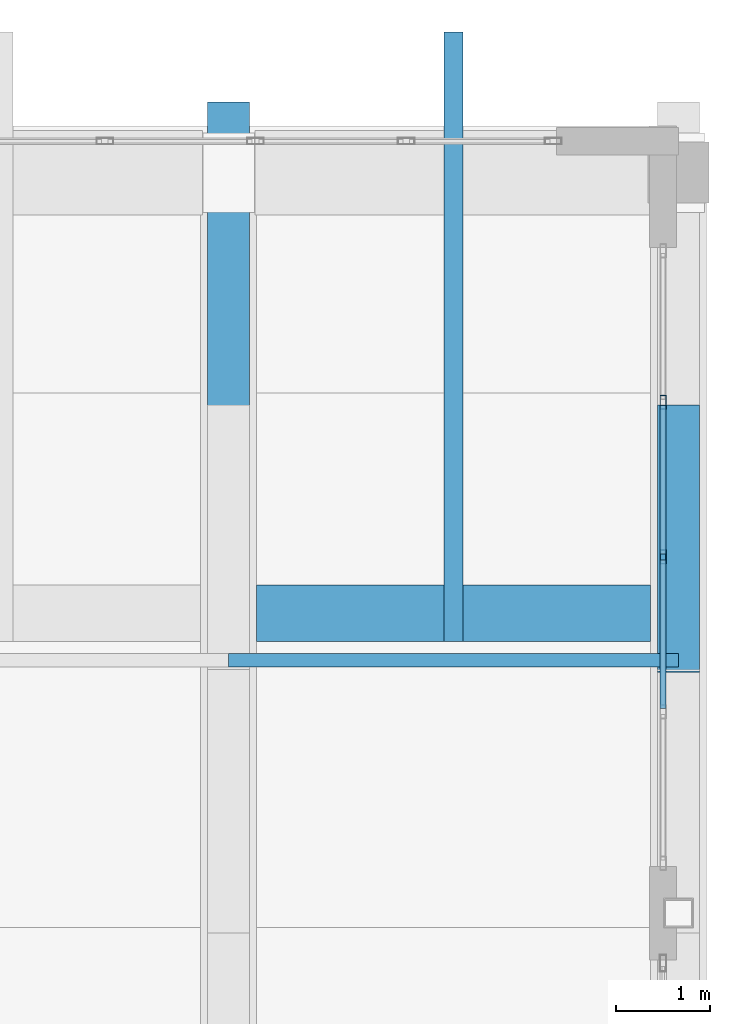
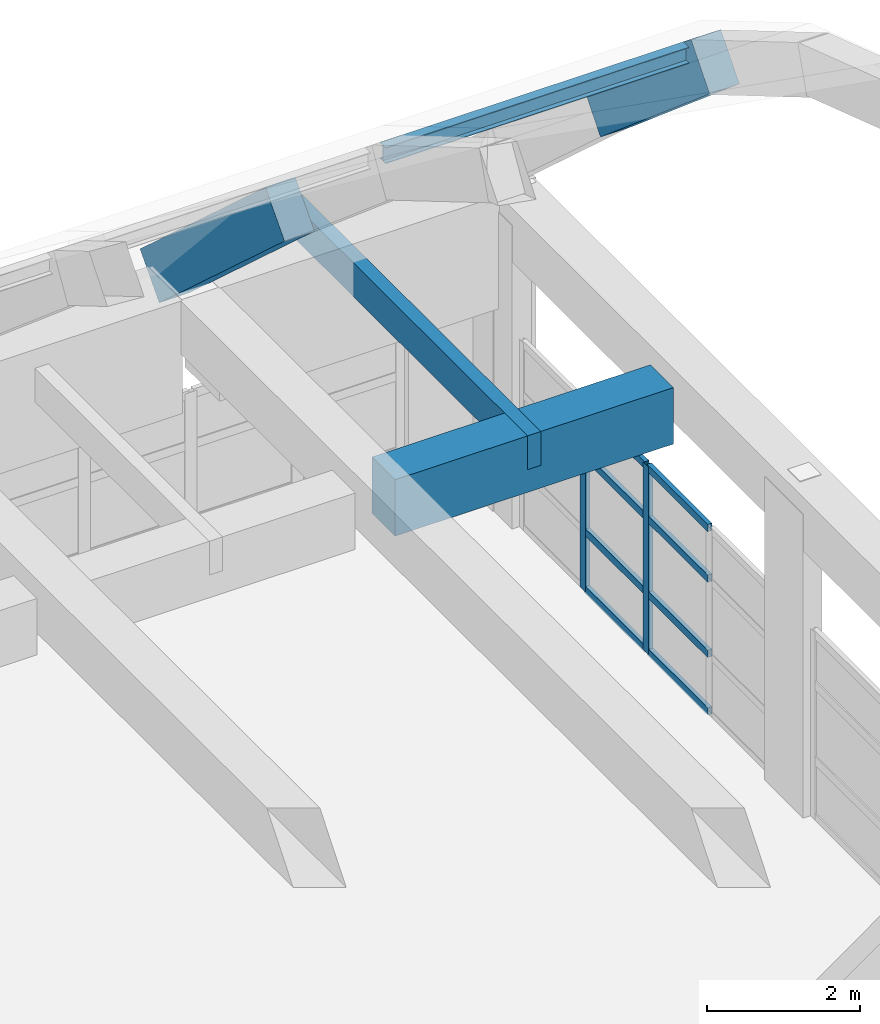
# One storey, part 53 of 78: 12 members, 3 beams, 1 element without a shape of its own.
"""IFC4 building model written with IfcOpenShell, lengths in metres."""

from ifc_helpers import new_model, si_unit, direction, frame, origin, origin_2d, place, context, subcontext, project, spatial, rectangle, hollow_rectangle, i_section, extrude, material, layer, layer_set, material_profile, profile_set, type_object, element, aggregate, save


model = new_model("IFC4")

# Units and contexts
model_context = context("Model", 3, precision=1e-05, world=origin(), true_north=direction((0.0, 1.0)))
body_context = subcontext(model_context, "Body", "Model", "MODEL_VIEW")
ifc_project = project(units=[si_unit("LENGTHUNIT", "METRE"), si_unit("AREAUNIT", "SQUARE_METRE"), si_unit("VOLUMEUNIT", "CUBIC_METRE"), si_unit("PLANEANGLEUNIT", "RADIAN"), si_unit("MASSUNIT", "GRAM", prefix="KILO")], contexts=[model_context])

# Site, building, storey
site_placement = place(None, origin())
site = spatial("IfcSite", under=ifc_project, at=site_placement, CompositionType="ELEMENT")
building_placement = place(site_placement, origin())
building = spatial("IfcBuilding", under=site, at=building_placement, Name="Quendrovan Civic Courthouse", CompositionType="ELEMENT")
storey_placement = place(building_placement, frame((0.0, 0.0, 20.39990234375)))
storey = spatial("IfcBuildingStorey", under=building, at=storey_placement, Name="L05", CompositionType="ELEMENT", Elevation=20.39990234375)

# Beams
ifc_material_1 = material(Name="Concrete C40/50", Category="concrete")
ifc_material_profile_1 = material_profile(ifc_material_1, rectangle(XDim=0.60009765625, YDim=0.89990234375, at=origin_2d()), Name="RC-BM-600x900")
ifc_profile_set_1 = profile_set([ifc_material_profile_1], Name="Concrete C40/50")
beam_type_1 = type_object("IfcBeamType", Name="BM-RC900", PredefinedType="BEAM", material=ifc_profile_set_1)
beam_1_placement = place(storey_placement, frame((138.300048828125, 105.199951171875, 4.35009765625), z_axis=(1.0, 0.0, 0.0), x_axis=(0.0, 1.0, 0.0)))
element("IfcBeam", 1, at=beam_1_placement, inside=storey, type_object=beam_type_1, Name="BV1 Eave Backspan Collector Beam N-B7", PredefinedType="BEAM", context=body_context, shape_type="SweptSolid", body=[
    extrude(rectangle(XDim=0.60009765625, YDim=0.89990234375, at=origin_2d()), origin(), (0.0, 0.0, 1.0), 4.199951171875),
])
ifc_material_profile_2 = material_profile(ifc_material_1, rectangle(XDim=0.449951171875, YDim=0.75, at=origin_2d()), Name="RC-VRIB-450x750")
ifc_profile_set_2 = profile_set([ifc_material_profile_2], Name="Concrete C40/50")
beam_type_2 = type_object("IfcBeamType", Name="BM-VRIB750", PredefinedType="BEAM", material=ifc_profile_set_2)
beam_2_placement = place(storey_placement, frame((138.0, 107.123291015625, 7.871826171875), z_axis=(0.0, 0.740733725172, -0.671798740988), x_axis=(-1.0, 0.0, 0.0)))
element("IfcBeam", 2, at=beam_2_placement, inside=storey, type_object=beam_type_2, Name="BV1 Concrete Vault Arch Rib A7-C8", PredefinedType="BEAM", context=body_context, shape_type="SweptSolid", body=[
    extrude(rectangle(XDim=0.449951171875, YDim=0.75, at=origin_2d()), origin(), (0.0, 0.0, 1.0), 4.423583984375),
])
beam_3_placement = place(storey_placement, frame((142.800048828125, 104.327880859375, 10.23779296875), z_axis=(0.0, 0.762387086329, -0.647121264214), x_axis=(-1.0, 0.0, 0.0)))
element("IfcBeam", 3, at=beam_3_placement, inside=storey, type_object=beam_type_2, Name="BV1 Concrete Vault Arch Rib A8-C7", PredefinedType="BEAM", context=body_context, shape_type="SweptSolid", body=[
    extrude(rectangle(XDim=0.449951171875, YDim=0.75, at=origin_2d()), origin(), (0.0, 0.0, 1.0), 3.73828125),
])

# Curtain wall, members
ifc_material_2 = material(Name="Bronze anodised aluminium and low-E glass", Category="aluminium")
ifc_layer = layer(ifc_material_2, 0.179931640625, Name="Bronze anodised aluminium and low-E glass")
ifc_layer_set = layer_set([ifc_layer], Name="Bronze anodised aluminium and low-E glass")
curtain_wall_type = type_object("IfcCurtainWallType", Name="CW-U66x30", PredefinedType="USERDEFINED", material=ifc_layer_set)
curtain_wall_placement = place(storey_placement, origin())
curtain_wall = element("IfcCurtainWall", 4, at=curtain_wall_placement, inside=storey, type_object=curtain_wall_type, Name="L05 Unitised Hurricane Curtain Wall CW-195", ObjectType="UNITISED CURTAIN WALL", PredefinedType="USERDEFINED")
ifc_material_3 = material(Name="Bronze anodised aluminium", Category="aluminium")
ifc_material_profile_3 = material_profile(ifc_material_3, hollow_rectangle(XDim=0.06494140625, YDim=0.14990234375, WallThickness=0.00390625, at=origin_2d()), Name="CW-MULL-65x150")
ifc_profile_set_3 = profile_set([ifc_material_profile_3], Name="Bronze anodised aluminium")
member_type_1 = type_object("IfcMemberType", Name="CW-MULL-B", PredefinedType="MULLION", material=ifc_profile_set_3)
member_1_placement = place(storey_placement, frame((142.635009765625, 107.449951171875, 0.0), z_axis=(0.0, 0.0, 1.0), x_axis=(1.0, 0.0, 0.0)))
member_1 = element("IfcMember", 5, at=member_1_placement, type_object=member_type_1, Name="CW-195 mullion 2", PredefinedType="MULLION", context=body_context, shape_type="SweptSolid", body=[
    extrude(hollow_rectangle(XDim=0.06494140625, YDim=0.14990234375, WallThickness=0.00390625, at=origin_2d()), origin(), (0.0, 0.0, 1.0), 2.989990234375),
])
member_2_placement = place(storey_placement, frame((142.635009765625, 105.800048828125, 0.0), z_axis=(0.0, 0.0, 1.0), x_axis=(1.0, 0.0, 0.0)))
member_2 = element("IfcMember", 6, at=member_2_placement, type_object=member_type_1, Name="CW-195 mullion 3", PredefinedType="MULLION", context=body_context, shape_type="SweptSolid", body=[
    extrude(hollow_rectangle(XDim=0.06494140625, YDim=0.14990234375, WallThickness=0.00390625, at=origin_2d()), origin(), (0.0, 0.0, 1.0), 2.989990234375),
])
ifc_material_profile_4 = material_profile(ifc_material_3, hollow_rectangle(XDim=0.06494140625, YDim=0.114990234375, WallThickness=0.00390625, at=origin_2d()), Name="CW-TRAN-65x115")
ifc_profile_set_4 = profile_set([ifc_material_profile_4], Name="Bronze anodised aluminium")
member_type_2 = type_object("IfcMemberType", Name="CW-TRAN-B", PredefinedType="USERDEFINED", material=ifc_profile_set_4)
member_3_placement = place(storey_placement, frame((142.635009765625, 107.41748046875, 0.03271484375), z_axis=(0.0, -1.0, 0.0), x_axis=(1.0, 0.0, 0.0)))
member_3 = element("IfcMember", 7, at=member_3_placement, type_object=member_type_2, Name="CW-195 transom 2.1", ObjectType="TRANSOM", PredefinedType="USERDEFINED", context=body_context, shape_type="SweptSolid", body=[
    extrude(hollow_rectangle(XDim=0.06494140625, YDim=0.114990234375, WallThickness=0.00390625, at=origin_2d()), origin(), (0.0, 0.0, 1.0), 1.5849609375),
])
member_4_placement = place(storey_placement, frame((142.635009765625, 107.41748046875, 0.9501953125), z_axis=(0.0, -1.0, 0.0), x_axis=(1.0, 0.0, 0.0)))
member_4 = element("IfcMember", 8, at=member_4_placement, type_object=member_type_2, Name="CW-195 transom 2.2", ObjectType="TRANSOM", PredefinedType="USERDEFINED", context=body_context, shape_type="SweptSolid", body=[
    extrude(hollow_rectangle(XDim=0.06494140625, YDim=0.114990234375, WallThickness=0.00390625, at=origin_2d()), origin(), (0.0, 0.0, 1.0), 1.5849609375),
])
member_5_placement = place(storey_placement, frame((142.635009765625, 107.41748046875, 2.150146484375), z_axis=(0.0, -1.0, 0.0), x_axis=(1.0, 0.0, 0.0)))
member_5 = element("IfcMember", 9, at=member_5_placement, type_object=member_type_2, Name="CW-195 transom 2.3", ObjectType="TRANSOM", PredefinedType="USERDEFINED", context=body_context, shape_type="SweptSolid", body=[
    extrude(hollow_rectangle(XDim=0.06494140625, YDim=0.114990234375, WallThickness=0.00390625, at=origin_2d()), origin(), (0.0, 0.0, 1.0), 1.5849609375),
])
member_6_placement = place(storey_placement, frame((142.635009765625, 107.41748046875, 2.95751953125), z_axis=(0.0, -1.0, 0.0), x_axis=(1.0, 0.0, 0.0)))
member_6 = element("IfcMember", 10, at=member_6_placement, type_object=member_type_2, Name="CW-195 transom 2.4", ObjectType="TRANSOM", PredefinedType="USERDEFINED", context=body_context, shape_type="SweptSolid", body=[
    extrude(hollow_rectangle(XDim=0.06494140625, YDim=0.114990234375, WallThickness=0.00390625, at=origin_2d()), origin(), (0.0, 0.0, 1.0), 1.5849609375),
])
member_7_placement = place(storey_placement, frame((142.635009765625, 105.767578125, 0.03271484375), z_axis=(0.0, -1.0, 0.0), x_axis=(1.0, 0.0, 0.0)))
member_7 = element("IfcMember", 11, at=member_7_placement, type_object=member_type_2, Name="CW-195 transom 3.1", ObjectType="TRANSOM", PredefinedType="USERDEFINED", context=body_context, shape_type="SweptSolid", body=[
    extrude(hollow_rectangle(XDim=0.06494140625, YDim=0.114990234375, WallThickness=0.00390625, at=origin_2d()), origin(), (0.0, 0.0, 1.0), 1.5849609375),
])
member_8_placement = place(storey_placement, frame((142.635009765625, 105.767578125, 0.9501953125), z_axis=(0.0, -1.0, 0.0), x_axis=(1.0, 0.0, 0.0)))
member_8 = element("IfcMember", 12, at=member_8_placement, type_object=member_type_2, Name="CW-195 transom 3.2", ObjectType="TRANSOM", PredefinedType="USERDEFINED", context=body_context, shape_type="SweptSolid", body=[
    extrude(hollow_rectangle(XDim=0.06494140625, YDim=0.114990234375, WallThickness=0.00390625, at=origin_2d()), origin(), (0.0, 0.0, 1.0), 1.5849609375),
])
member_9_placement = place(storey_placement, frame((142.635009765625, 105.767578125, 2.150146484375), z_axis=(0.0, -1.0, 0.0), x_axis=(1.0, 0.0, 0.0)))
member_9 = element("IfcMember", 13, at=member_9_placement, type_object=member_type_2, Name="CW-195 transom 3.3", ObjectType="TRANSOM", PredefinedType="USERDEFINED", context=body_context, shape_type="SweptSolid", body=[
    extrude(hollow_rectangle(XDim=0.06494140625, YDim=0.114990234375, WallThickness=0.00390625, at=origin_2d()), origin(), (0.0, 0.0, 1.0), 1.5849609375),
])
member_10_placement = place(storey_placement, frame((142.635009765625, 105.767578125, 2.95751953125), z_axis=(0.0, -1.0, 0.0), x_axis=(1.0, 0.0, 0.0)))
member_10 = element("IfcMember", 14, at=member_10_placement, type_object=member_type_2, Name="CW-195 transom 3.4", ObjectType="TRANSOM", PredefinedType="USERDEFINED", context=body_context, shape_type="SweptSolid", body=[
    extrude(hollow_rectangle(XDim=0.06494140625, YDim=0.114990234375, WallThickness=0.00390625, at=origin_2d()), origin(), (0.0, 0.0, 1.0), 1.5849609375),
])
aggregate(curtain_wall, [member_1, member_2, member_3, member_4, member_5, member_6, member_7, member_8, member_9, member_10])

# Members
ifc_material_4 = material(Name="Western Red Cedar Glulam GL28h", Category="wood")
ifc_material_profile_5 = material_profile(ifc_material_4, rectangle(XDim=0.199951171875, YDim=0.5400390625, at=origin_2d()), Name="GL28H-200x540")
ifc_profile_set_5 = profile_set([ifc_material_profile_5], Name="Western Red Cedar Glulam GL28h")
member_type_3 = type_object("IfcMemberType", Name="MEM-PUR-GL540", PredefinedType="PURLIN", material=ifc_profile_set_5)
member_11_placement = place(storey_placement, frame((140.39990234375, 104.89990234375, 4.530029296875), z_axis=(0.0, 1.0, 0.0), x_axis=(-1.0, 0.0, 0.0)))
element("IfcMember", 15, at=member_11_placement, inside=storey, type_object=member_type_3, Name="BV1 Cedar Glulam North Hurricane Eave Outrigger B7", PredefinedType="PURLIN", context=body_context, shape_type="SweptSolid", body=[
    extrude(rectangle(XDim=0.199951171875, YDim=0.5400390625, at=origin_2d()), origin(), (0.0, 0.0, 1.0), 6.5),
])
ifc_material_5 = material(Name="Steel ASTM A992 Grade 50", Category="steel")
ifc_material_profile_6 = material_profile(ifc_material_5, i_section(OverallWidth=0.14599609375, OverallDepth=0.258056640625, WebThickness=0.006103515625, FlangeThickness=0.009033203125, at=origin_2d()), Name="W250x33")
ifc_profile_set_6 = profile_set([ifc_material_profile_6], Name="Steel ASTM A992 Grade 50")
member_type_4 = type_object("IfcMemberType", Name="MEM-PUR-W250", PredefinedType="PURLIN", material=ifc_profile_set_6)
member_12_placement = place(storey_placement, frame((138.0, 104.699951171875, 10.236083984375), z_axis=(1.0, 0.0, 0.0), x_axis=(0.0, 1.0, 0.0)))
element("IfcMember", 16, at=member_12_placement, inside=storey, type_object=member_type_4, Name="BV1 Vault Longitudinal Purlin B7-3", PredefinedType="PURLIN", context=body_context, shape_type="SweptSolid", body=[
    extrude(i_section(OverallWidth=0.14599609375, OverallDepth=0.258056640625, WebThickness=0.006103515625, FlangeThickness=0.009033203125, at=origin_2d()), origin(), (0.0, 0.0, 1.0), 4.800048828125),
])

save(model, "model.ifc")
